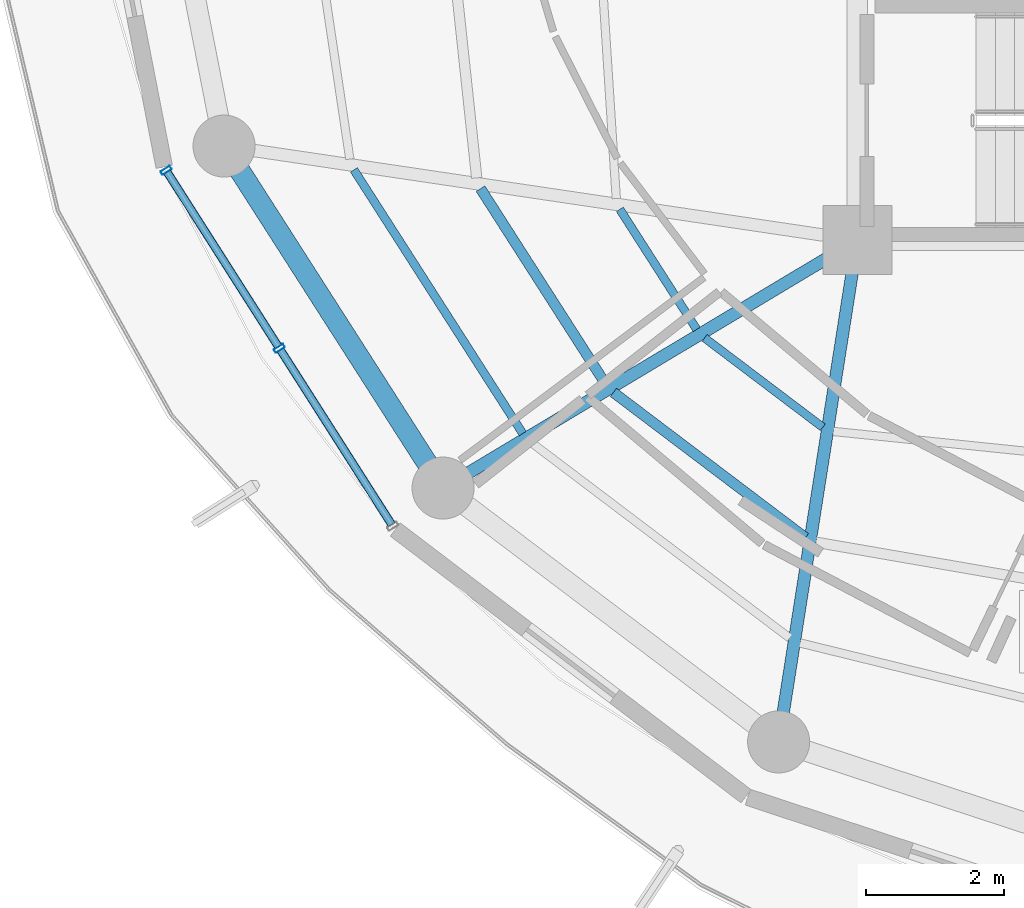
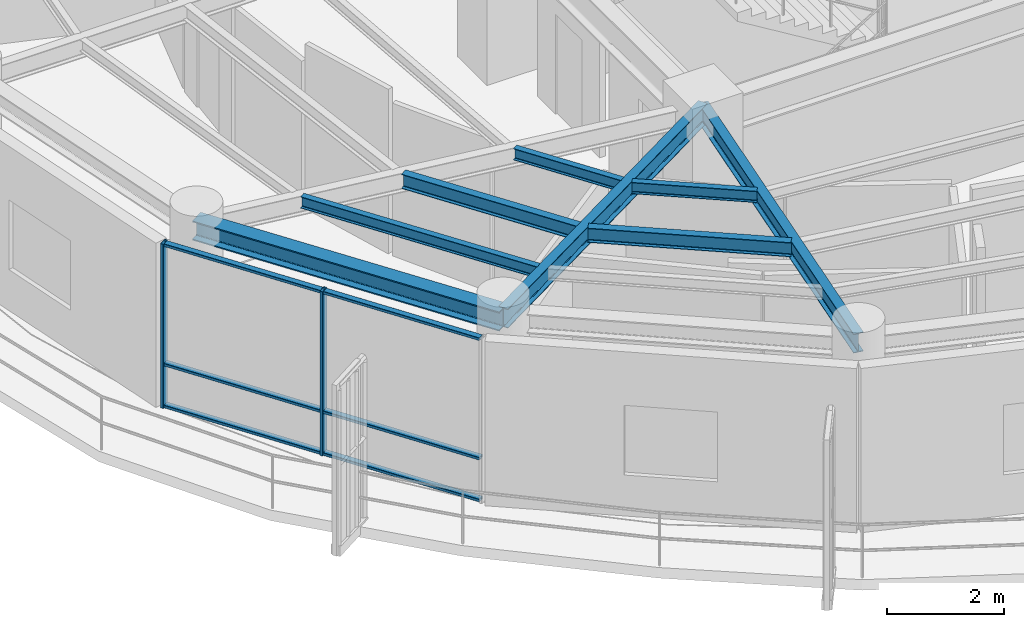
# One storey, part 3 of 23: 8 beams, 8 members, 1 element without a shape of its own.
"""IFC4 building model written with IfcOpenShell, lengths in metres."""

from ifc_helpers import new_model, si_unit, direction, frame, origin, origin_2d, place, context, subcontext, project, spatial, hollow_rectangle, i_section, extrude, material, layer, layer_set, material_profile, profile_set, type_object, element, aggregate, save


model = new_model("IFC4")

# Units and contexts
model_context = context("Model", 3, precision=1e-05, world=origin(), true_north=direction((0.0, 1.0)))
body_context = subcontext(model_context, "Body", "Model", "MODEL_VIEW")
ifc_project = project(units=[si_unit("LENGTHUNIT", "METRE"), si_unit("AREAUNIT", "SQUARE_METRE"), si_unit("VOLUMEUNIT", "CUBIC_METRE"), si_unit("PLANEANGLEUNIT", "RADIAN"), si_unit("MASSUNIT", "GRAM", prefix="KILO")], contexts=[model_context])

# Site, building, storey
site_placement = place(None, origin())
site = spatial("IfcSite", under=ifc_project, at=site_placement, CompositionType="ELEMENT")
building_placement = place(site_placement, origin())
building = spatial("IfcBuilding", under=site, at=building_placement, Name="Kelanora Arch Commons", CompositionType="ELEMENT")
storey_placement = place(building_placement, frame((0.0, 0.0, 289.949951171875)))
storey = spatial("IfcBuildingStorey", under=building, at=storey_placement, Name="L74", CompositionType="ELEMENT", Elevation=289.949951171875)

# Beams
ifc_material_1 = material(Name="Steel S355", Category="steel")
ifc_material_profile_1 = material_profile(ifc_material_1, i_section(OverallWidth=0.14990234375, OverallDepth=0.300048828125, WebThickness=0.007080078125, FlangeThickness=0.0107421875, FilletRadius=0.014892578125, at=origin_2d()), Name="IPE300")
ifc_profile_set_1 = profile_set([ifc_material_profile_1], Name="Steel S355")
beam_type_1 = type_object("IfcBeamType", Name="BM-JST-01", PredefinedType="JOIST", material=ifc_profile_set_1)
beam_1_placement = place(storey_placement, frame((60.539306640625, 51.74658203125, 3.280029296875), z_axis=(0.539321586177, -0.842099891155, 0.0), x_axis=(0.842099891155, 0.539321586177, 0.0)))
element("IfcBeam", 1, at=beam_1_placement, inside=storey, type_object=beam_type_1, Name="Secondary Chord Joist BJB-20 L74", PredefinedType="JOIST", context=body_context, shape_type="SweptSolid", body=[
    extrude(i_section(OverallWidth=0.14990234375, OverallDepth=0.300048828125, WebThickness=0.007080078125, FlangeThickness=0.0107421875, FilletRadius=0.014892578125, at=origin_2d()), origin(), (0.0, 0.0, 1.0), 3.361572265625),
])
beam_2_placement = place(storey_placement, frame((62.4658203125, 48.79296875, 3.280029296875), z_axis=(0.797499198801, -0.603320004568, 0.0), x_axis=(0.603320004568, 0.797499198801, 0.0)))
element("IfcBeam", 2, at=beam_2_placement, inside=storey, type_object=beam_type_1, Name="Secondary Chord Joist BJB-22 L74", PredefinedType="JOIST", context=body_context, shape_type="SweptSolid", body=[
    extrude(i_section(OverallWidth=0.14990234375, OverallDepth=0.300048828125, WebThickness=0.007080078125, FlangeThickness=0.0107421875, FilletRadius=0.014892578125, at=origin_2d()), origin(), (0.0, 0.0, 1.0), 3.489013671875),
])
ifc_material_profile_2 = material_profile(ifc_material_1, i_section(OverallWidth=0.1201171875, OverallDepth=0.239990234375, WebThickness=0.006103515625, FlangeThickness=0.009765625, FilletRadius=0.014892578125, at=origin_2d()), Name="IPE240")
ifc_profile_set_2 = profile_set([ifc_material_profile_2], Name="Steel S355")
beam_type_2 = type_object("IfcBeamType", Name="BM-JST-02", PredefinedType="JOIST", material=ifc_profile_set_2)
beam_3_placement = place(storey_placement, frame((62.558349609375, 51.446533203125, 3.31005859375), z_axis=(0.539311810315, -0.842106152011, 0.0), x_axis=(0.842106152011, 0.539311810315, 0.0)))
element("IfcBeam", 3, at=beam_3_placement, inside=storey, type_object=beam_type_2, Name="Secondary Chord Joist BJA-20 L74", PredefinedType="JOIST", context=body_context, shape_type="SweptSolid", body=[
    extrude(i_section(OverallWidth=0.1201171875, OverallDepth=0.239990234375, WebThickness=0.006103515625, FlangeThickness=0.009765625, FilletRadius=0.014892578125, at=origin_2d()), origin(), (0.0, 0.0, 1.0), 2.06640625),
])
beam_4_placement = place(storey_placement, frame((58.703857421875, 52.019287109375, 3.31005859375), z_axis=(0.539288735289, -0.842120929552, 0.0), x_axis=(0.842120929552, 0.539288735289, 0.0)))
element("IfcBeam", 4, at=beam_4_placement, inside=storey, type_object=beam_type_2, Name="Secondary Chord Joist BJC-20 L74", PredefinedType="JOIST", context=body_context, shape_type="SweptSolid", body=[
    extrude(i_section(OverallWidth=0.1201171875, OverallDepth=0.239990234375, WebThickness=0.006103515625, FlangeThickness=0.009765625, FilletRadius=0.014892578125, at=origin_2d()), origin(), (0.0, 0.0, 1.0), 4.538818359375),
])
beam_5_placement = place(storey_placement, frame((63.78662109375, 49.583251953125, 3.31005859375), z_axis=(0.797509883882, -0.603305880222, 0.0), x_axis=(0.603305880222, 0.797509883882, 0.0)))
element("IfcBeam", 5, at=beam_5_placement, inside=storey, type_object=beam_type_2, Name="Secondary Chord Joist BJA-22 L74", PredefinedType="JOIST", context=body_context, shape_type="SweptSolid", body=[
    extrude(i_section(OverallWidth=0.1201171875, OverallDepth=0.239990234375, WebThickness=0.006103515625, FlangeThickness=0.009765625, FilletRadius=0.014892578125, at=origin_2d()), origin(), (0.0, 0.0, 1.0), 2.147216796875),
])
ifc_material_profile_3 = material_profile(ifc_material_1, i_section(OverallWidth=0.179931640625, OverallDepth=0.39990234375, WebThickness=0.008544921875, FlangeThickness=0.013427734375, FilletRadius=0.02099609375, at=origin_2d()), Name="IPE400")
ifc_profile_set_3 = profile_set([ifc_material_profile_3], Name="Steel S355")
beam_type_3 = type_object("IfcBeamType", Name="BM-RAD-Z5", PredefinedType="BEAM", material=ifc_profile_set_3)
beam_6_placement = place(storey_placement, frame((66.0, 51.0, 3.22998046875), z_axis=(-0.858062005744, -0.513546097541, 0.0), x_axis=(0.513546097541, -0.858062005744, 0.0)))
element("IfcBeam", 6, at=beam_6_placement, inside=storey, type_object=beam_type_3, Name="Radial Floor Girder BR-22 L74", PredefinedType="BEAM", context=body_context, shape_type="SweptSolid", body=[
    extrude(i_section(OverallWidth=0.179931640625, OverallDepth=0.39990234375, WebThickness=0.008544921875, FlangeThickness=0.013427734375, FilletRadius=0.02099609375, at=origin_2d()), origin(), (0.0, 0.0, 1.0), 6.99658203125),
])
beam_7_placement = place(storey_placement, frame((66.0, 51.0, 3.22998046875), z_axis=(-0.154855424129, -0.987937142544, 0.0), x_axis=(0.987937142544, -0.154855424129, 0.0)))
element("IfcBeam", 7, at=beam_7_placement, inside=storey, type_object=beam_type_3, Name="Radial Floor Girder BR-24 L74", PredefinedType="BEAM", context=body_context, shape_type="SweptSolid", body=[
    extrude(i_section(OverallWidth=0.179931640625, OverallDepth=0.39990234375, WebThickness=0.008544921875, FlangeThickness=0.013427734375, FilletRadius=0.02099609375, at=origin_2d()), origin(), (0.0, 0.0, 1.0), 7.361083984375),
])
ifc_material_profile_4 = material_profile(ifc_material_1, i_section(OverallWidth=0.300048828125, OverallDepth=0.39990234375, WebThickness=0.013427734375, FlangeThickness=0.02392578125, FilletRadius=0.027099609375, at=origin_2d()), Name="HEB400")
ifc_profile_set_4 = profile_set([ifc_material_profile_4], Name="Steel S355")
beam_type_4 = type_object("IfcBeamType", Name="BM-SPN-Z4", PredefinedType="SPANDREL", material=ifc_profile_set_4)
beam_8_placement = place(storey_placement, frame((56.822509765625, 52.363525390625, 3.22998046875), z_axis=(0.539280851353, -0.842125978322, 0.0), x_axis=(0.842125978322, 0.539280851353, 0.0)))
element("IfcBeam", 8, at=beam_8_placement, inside=storey, type_object=beam_type_4, Name="Perimeter Spandrel Beam BS-20 L74", PredefinedType="SPANDREL", context=body_context, shape_type="SweptSolid", body=[
    extrude(i_section(OverallWidth=0.300048828125, OverallDepth=0.39990234375, WebThickness=0.013427734375, FlangeThickness=0.02392578125, FilletRadius=0.027099609375, at=origin_2d()), origin(), (0.0, 0.0, 1.0), 5.8857421875),
])

# Curtain wall, members
ifc_material_2 = material(Name="Terracotta ceramic-fritted low-E glass and aluminium", Category="masonry")
ifc_layer = layer(ifc_material_2, 0.18994140625)
ifc_layer_set = layer_set([ifc_layer], Name="Terracotta ceramic-fritted low-E glass and aluminium")
curtain_wall_type = type_object("IfcCurtainWallType", Name="CW-SYS-03", PredefinedType="NOTDEFINED", material=ifc_layer_set)
curtain_wall_placement = place(storey_placement, origin())
curtain_wall = element("IfcCurtainWall", 9, at=curtain_wall_placement, inside=storey, type_object=curtain_wall_type, Name="Unitised Curtain Wall L74-B10", PredefinedType="NOTDEFINED")
ifc_material_3 = material(Name="Powder-coated aluminium terracotta", Category="masonry")
ifc_material_profile_5 = material_profile(ifc_material_3, hollow_rectangle(XDim=0.159912109375, YDim=0.06005859375, WallThickness=0.0048828125, InnerFilletRadius=0.0048828125, OuterFilletRadius=0.010009765625, at=origin_2d()), Name="CWM160x60")
ifc_profile_set_5 = profile_set([ifc_material_profile_5], Name="Powder-coated aluminium terracotta")
member_type_1 = type_object("IfcMemberType", Name="CWM-STD", PredefinedType="MULLION", material=ifc_profile_set_5)
member_1_placement = place(storey_placement, frame((55.982177734375, 52.0107421875, 0.0), z_axis=(0.0, 0.0, 1.0), x_axis=(0.843391314545, 0.537299814397, 0.0)))
member_1 = element("IfcMember", 10, at=member_1_placement, type_object=member_type_1, Name="CW-03 mullion 1", PredefinedType="MULLION", context=body_context, shape_type="SweptSolid", body=[
    extrude(hollow_rectangle(XDim=0.159912109375, YDim=0.06005859375, WallThickness=0.0048828125, InnerFilletRadius=0.0048828125, OuterFilletRadius=0.010009765625, at=origin_2d()), origin(), (0.0, 0.0, 1.0), 3.4150390625),
])
member_2_placement = place(storey_placement, frame((57.625, 49.43212890625, 0.0), z_axis=(0.0, 0.0, 1.0), x_axis=(0.843391314545, 0.537299814397, 0.0)))
member_2 = element("IfcMember", 11, at=member_2_placement, type_object=member_type_1, Name="CW-03 mullion 2", PredefinedType="MULLION", context=body_context, shape_type="SweptSolid", body=[
    extrude(hollow_rectangle(XDim=0.159912109375, YDim=0.06005859375, WallThickness=0.0048828125, InnerFilletRadius=0.0048828125, OuterFilletRadius=0.010009765625, at=origin_2d()), origin(), (0.0, 0.0, 1.0), 3.4150390625),
])
ifc_material_profile_6 = material_profile(ifc_material_3, hollow_rectangle(XDim=0.1201171875, YDim=0.06005859375, WallThickness=0.0048828125, InnerFilletRadius=0.0048828125, OuterFilletRadius=0.010009765625, at=origin_2d()), Name="CWT120x60")
ifc_profile_set_6 = profile_set([ifc_material_profile_6], Name="Powder-coated aluminium terracotta")
member_type_2 = type_object("IfcMemberType", Name="CWT-STD", PredefinedType="USERDEFINED", material=ifc_profile_set_6)
member_3_placement = place(storey_placement, frame((55.998291015625, 51.985595703125, 0.030029296875), z_axis=(0.537307571338, -0.843386372775, 0.0), x_axis=(0.843386372775, 0.537307571338, 0.0)))
member_3 = element("IfcMember", 12, at=member_3_placement, type_object=member_type_2, Name="CW-03 transom 1.1", ObjectType="TRANSOM", PredefinedType="USERDEFINED", context=body_context, shape_type="SweptSolid", body=[
    extrude(hollow_rectangle(XDim=0.1201171875, YDim=0.06005859375, WallThickness=0.0048828125, InnerFilletRadius=0.0048828125, OuterFilletRadius=0.010009765625, at=origin_2d()), origin(), (0.0, 0.0, 1.0), 2.99755859375),
])
member_4_placement = place(storey_placement, frame((55.998291015625, 51.985595703125, 0.900146484375), z_axis=(0.537307571338, -0.843386372775, 0.0), x_axis=(0.843386372775, 0.537307571338, 0.0)))
member_4 = element("IfcMember", 13, at=member_4_placement, type_object=member_type_2, Name="CW-03 transom 1.2", ObjectType="TRANSOM", PredefinedType="USERDEFINED", context=body_context, shape_type="SweptSolid", body=[
    extrude(hollow_rectangle(XDim=0.1201171875, YDim=0.06005859375, WallThickness=0.0048828125, InnerFilletRadius=0.0048828125, OuterFilletRadius=0.010009765625, at=origin_2d()), origin(), (0.0, 0.0, 1.0), 2.99755859375),
])
member_5_placement = place(storey_placement, frame((55.998291015625, 51.985595703125, 3.385009765625), z_axis=(0.537307571338, -0.843386372775, 0.0), x_axis=(0.843386372775, 0.537307571338, 0.0)))
member_5 = element("IfcMember", 14, at=member_5_placement, type_object=member_type_2, Name="CW-03 transom 1.3", ObjectType="TRANSOM", PredefinedType="USERDEFINED", context=body_context, shape_type="SweptSolid", body=[
    extrude(hollow_rectangle(XDim=0.1201171875, YDim=0.06005859375, WallThickness=0.0048828125, InnerFilletRadius=0.0048828125, OuterFilletRadius=0.010009765625, at=origin_2d()), origin(), (0.0, 0.0, 1.0), 2.99755859375),
])
member_6_placement = place(storey_placement, frame((57.64111328125, 49.40673828125, 0.030029296875), z_axis=(0.537286543791, -0.84339976871, 0.0), x_axis=(0.84339976871, 0.537286543791, 0.0)))
member_6 = element("IfcMember", 15, at=member_6_placement, type_object=member_type_2, Name="CW-03 transom 2.1", ObjectType="TRANSOM", PredefinedType="USERDEFINED", context=body_context, shape_type="SweptSolid", body=[
    extrude(hollow_rectangle(XDim=0.1201171875, YDim=0.06005859375, WallThickness=0.0048828125, InnerFilletRadius=0.0048828125, OuterFilletRadius=0.010009765625, at=origin_2d()), origin(), (0.0, 0.0, 1.0), 2.997314453125),
])
member_7_placement = place(storey_placement, frame((57.64111328125, 49.40673828125, 0.900146484375), z_axis=(0.537286543791, -0.84339976871, 0.0), x_axis=(0.84339976871, 0.537286543791, 0.0)))
member_7 = element("IfcMember", 16, at=member_7_placement, type_object=member_type_2, Name="CW-03 transom 2.2", ObjectType="TRANSOM", PredefinedType="USERDEFINED", context=body_context, shape_type="SweptSolid", body=[
    extrude(hollow_rectangle(XDim=0.1201171875, YDim=0.06005859375, WallThickness=0.0048828125, InnerFilletRadius=0.0048828125, OuterFilletRadius=0.010009765625, at=origin_2d()), origin(), (0.0, 0.0, 1.0), 2.997314453125),
])
member_8_placement = place(storey_placement, frame((57.64111328125, 49.40673828125, 3.385009765625), z_axis=(0.537286543791, -0.84339976871, 0.0), x_axis=(0.84339976871, 0.537286543791, 0.0)))
member_8 = element("IfcMember", 17, at=member_8_placement, type_object=member_type_2, Name="CW-03 transom 2.3", ObjectType="TRANSOM", PredefinedType="USERDEFINED", context=body_context, shape_type="SweptSolid", body=[
    extrude(hollow_rectangle(XDim=0.1201171875, YDim=0.06005859375, WallThickness=0.0048828125, InnerFilletRadius=0.0048828125, OuterFilletRadius=0.010009765625, at=origin_2d()), origin(), (0.0, 0.0, 1.0), 2.997314453125),
])
aggregate(curtain_wall, [member_1, member_2, member_3, member_4, member_5, member_6, member_7, member_8])

save(model, "model.ifc")
